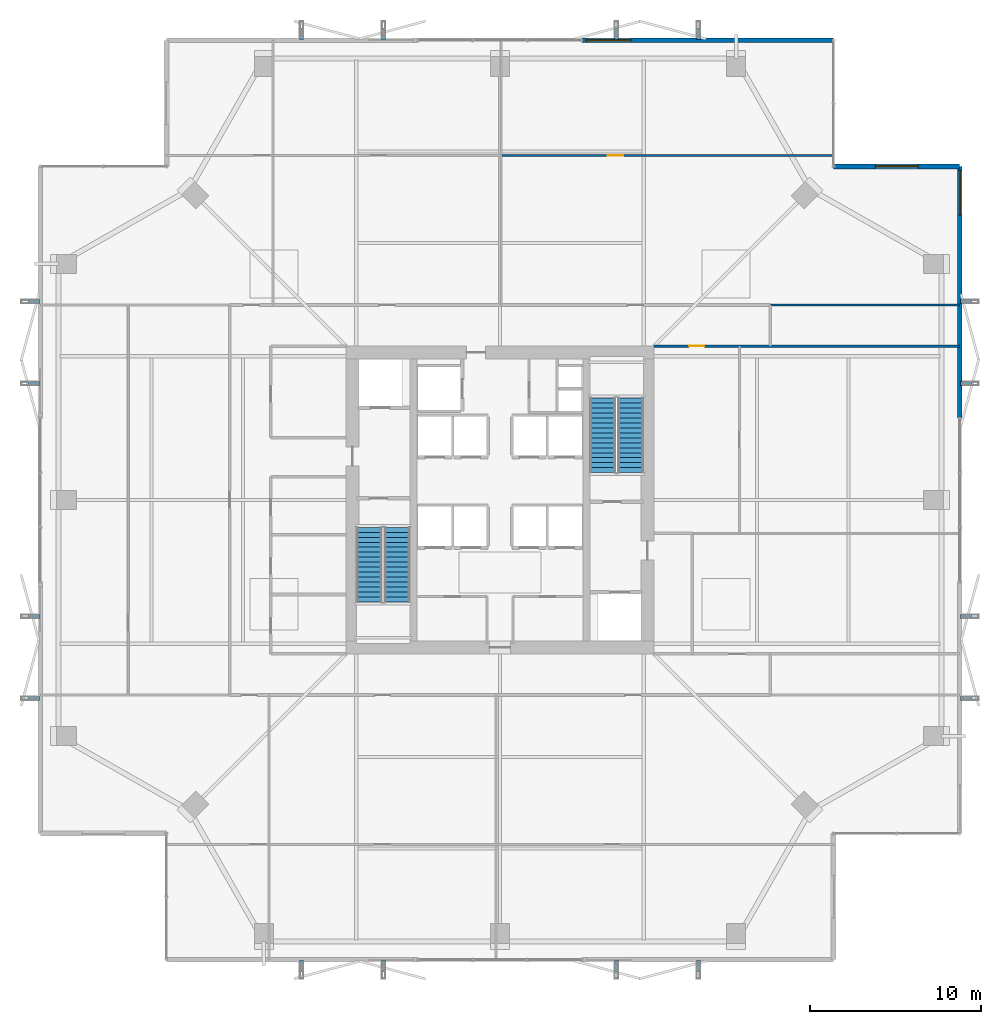
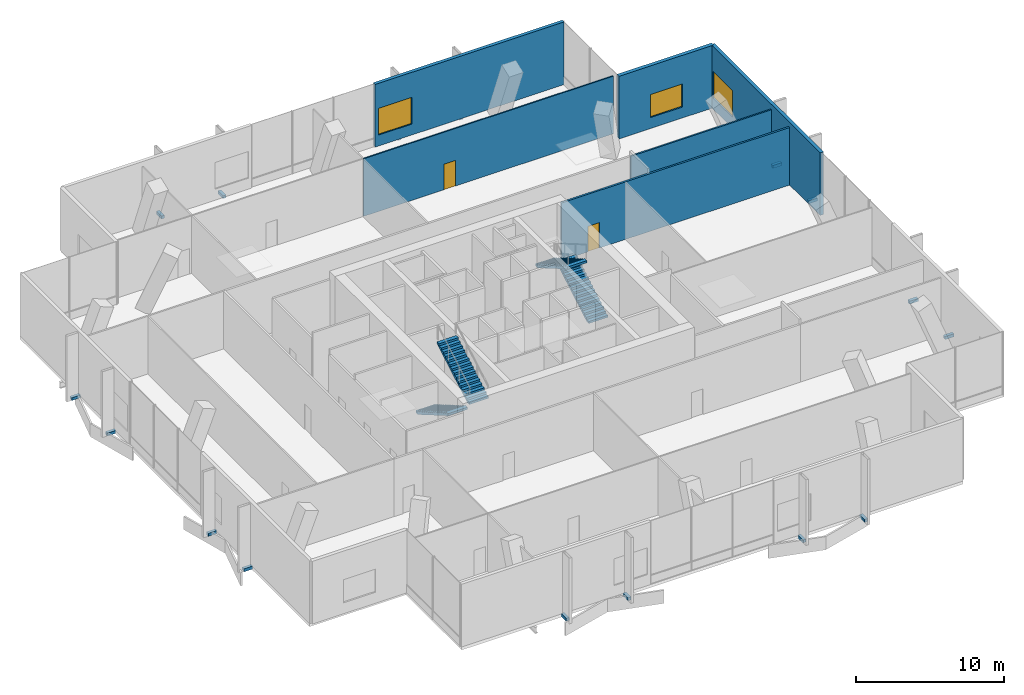
# One storey, part 32 of 33: 16 discrete accessories, 6 walls, 4 stair flights, 3 windows, 2 doors, 5 openings, 2 elements without a shape of their own.
"""IFC4 building model written with IfcOpenShell, lengths in metres."""

from ifc_helpers import new_model, si_unit, direction, frame, frame_2d, origin, origin_2d, place, context, subcontext, project, spatial, polyline, rectangle, outline, extrude, material, layer, layer_set, type_object, element, fill, aggregate, save


model = new_model("IFC4")

# Units and contexts
model_context = context("Model", 3, precision=1e-05, world=origin(), true_north=direction((0.0, 1.0)))
body_context = subcontext(model_context, "Body", "Model", "MODEL_VIEW")
ifc_project = project(units=[si_unit("LENGTHUNIT", "METRE"), si_unit("AREAUNIT", "SQUARE_METRE"), si_unit("VOLUMEUNIT", "CUBIC_METRE"), si_unit("PLANEANGLEUNIT", "RADIAN"), si_unit("MASSUNIT", "GRAM", prefix="KILO")], contexts=[model_context])

# Site, building, storey
site_placement = place(None, origin())
site = spatial("IfcSite", under=ifc_project, at=site_placement, CompositionType="ELEMENT")
building_placement = place(site_placement, origin())
building = spatial("IfcBuilding", under=site, at=building_placement, Name="Belovzor Exchange Tower", CompositionType="ELEMENT")
storey_placement = place(building_placement, frame((0.0, 0.0, 241.199951171875)))
storey = spatial("IfcBuildingStorey", under=building, at=storey_placement, Name="L60", CompositionType="ELEMENT", Elevation=241.199951171875)

# Wall
ifc_material_1 = material(Name="Acoustic Plasterboard on Galvanised Studs", Category="gypsum")
ifc_layer_1 = layer(ifc_material_1, 0.1201171875)
ifc_layer_set_1 = layer_set([ifc_layer_1], Name="Acoustic Plasterboard on Galvanised Studs")
wall_type_1 = type_object("IfcWallType", Name="Acoustic Double-Stud Partition Wall 120", PredefinedType="PARTITIONING", material=ifc_layer_set_1)
wall_1_placement = place(storey_placement, frame((44.60009765625, 40.199951171875, 0.0), z_axis=(0.0, 0.0, 1.0), x_axis=(1.0, 0.0, 0.0)))
element("IfcWall", 1, at=wall_1_placement, inside=storey, type_object=wall_type_1, Name="W-P120 Partition Wall W-L60-END-NE", PredefinedType="PARTITIONING", context=body_context, shape_type="SweptSolid", body=[
    extrude(rectangle(XDim=11.06982421875, YDim=0.1201171875, at=frame_2d((5.534912109375, 0.0))), origin(), (0.0, 0.0, 1.0), 4.735107421875),
])

# Wall, opening, door
ifc_material_2 = material(Name="Acoustic Laminated Glass and Aluminium", Category="aluminium")
ifc_layer_2 = layer(ifc_material_2, 0.10009765625)
ifc_layer_set_2 = layer_set([ifc_layer_2], Name="Acoustic Laminated Glass and Aluminium")
wall_type_2 = type_object("IfcWallType", Name="Demountable Executive Glass Partition 100", PredefinedType="MOVABLE", material=ifc_layer_set_2)
wall_2_placement = place(storey_placement, frame((28.864990234375, 48.93505859375, 0.0), z_axis=(0.0, 0.0, 1.0), x_axis=(1.0, 0.0, 0.0)))
wall_2 = element("IfcWall", 2, at=wall_2_placement, inside=storey, type_object=wall_type_2, Name="W-M100 Partition Wall W-L60-NHDIV-2", PredefinedType="MOVABLE", context=body_context, shape_type="SweptSolid", body=[
    extrude(rectangle(XDim=19.43505859375, YDim=0.10009765625, at=frame_2d((9.717529296875, 0.0))), origin(), (0.0, 0.0, 1.0), 4.735107421875),
])
opening_1_placement = place(wall_2_placement, frame((6.2451171875, 0.0, 0.0)))
opening_1 = element("IfcOpeningElement", 3, at=opening_1_placement, cuts=wall_2, Name="Opening D-INT-090", PredefinedType="OPENING", context=body_context, shape_type="SweptSolid", body=[
    extrude(rectangle(XDim=0.89990234375, YDim=2.10009765625, at=frame_2d((0.449951171875, 1.050048828125))), frame((0.0, 0.06005859375, 0.0), z_axis=(0.0, -1.0, 0.0), x_axis=(1.0, 0.0, 0.0)), (0.0, 0.0, 1.0), 0.1201171875),
])
ifc_material_3 = material(Name="Veneered Hardwood Acoustic Leaf", Category="wood")
door_type = type_object("IfcDoorType", Name="Trading Suite Acoustic Single Door 900x2100", OperationType="NOTDEFINED", PredefinedType="DOOR", material=ifc_material_3)
door_1_placement = place(opening_1_placement, origin())
door_1 = element("IfcDoor", 4, at=door_1_placement, inside=storey, type_object=door_type, Name="D-INT-090 Trading Suite Acoustic Single Door 900x2100", OperationType="SINGLE_SWING_RIGHT", OverallHeight=2.10009765625, OverallWidth=0.89990234375, PredefinedType="DOOR", context=body_context, shape_type="SweptSolid", body=[
    extrude(rectangle(XDim=0.89990234375, YDim=2.10009765625, at=frame_2d((0.449951171875, 1.050048828125))), frame((0.0, 0.02490234375, 0.0), z_axis=(0.0, -1.0, 0.0), x_axis=(1.0, 0.0, 0.0)), (0.0, 0.0, 1.0), 0.050048828125),
])
fill(opening_1, door_1)

ifc_material_4 = material(Name="Fire-Rated Gypsum Block and Mineral Wool", Category="gypsum")
ifc_layer_3 = layer(ifc_material_4, 0.14990234375)
ifc_layer_set_3 = layer_set([ifc_layer_3], Name="Fire-Rated Gypsum Block and Mineral Wool")
wall_type_3 = type_object("IfcWallType", Name="Fire-Rated Gypsum Block Corridor Wall 150", PredefinedType="PARTITIONING", material=ifc_layer_set_3)
wall_3_placement = place(storey_placement, frame((37.800048828125, 37.800048828125, 0.0), z_axis=(0.0, 0.0, 1.0), x_axis=(1.0, 0.0, 0.0)))
wall_3 = element("IfcWall", 5, at=wall_3_placement, inside=storey, type_object=wall_type_3, Name="W-P150 Partition Wall W-L60-CN-IN", PredefinedType="PARTITIONING", context=body_context, shape_type="SweptSolid", body=[
    extrude(rectangle(XDim=17.869873046875, YDim=0.14990234375, at=frame_2d((8.93505859375, 0.0))), origin(), (0.0, 0.0, 1.0), 4.735107421875),
])
opening_2_placement = place(wall_3_placement, frame((2.050048828125, 0.0, 0.0)))
opening_2 = element("IfcOpeningElement", 6, at=opening_2_placement, cuts=wall_3, Name="Opening D-INT-090", PredefinedType="OPENING", context=body_context, shape_type="SweptSolid", body=[
    extrude(rectangle(XDim=0.89990234375, YDim=2.10009765625, at=frame_2d((0.449951171875, 1.050048828125))), frame((0.0, 0.0849609375, 0.0), z_axis=(0.0, -1.0, 0.0), x_axis=(1.0, 0.0, 0.0)), (0.0, 0.0, 1.0), 0.169921875),
])
door_2_placement = place(opening_2_placement, origin())
door_2 = element("IfcDoor", 7, at=door_2_placement, inside=storey, type_object=door_type, Name="D-INT-090 Trading Suite Acoustic Single Door 900x2100", OperationType="SINGLE_SWING_RIGHT", OverallHeight=2.10009765625, OverallWidth=0.89990234375, PredefinedType="DOOR", context=body_context, shape_type="SweptSolid", body=[
    extrude(rectangle(XDim=0.89990234375, YDim=2.10009765625, at=frame_2d((0.449951171875, 1.050048828125))), frame((0.0, 0.02490234375, 0.0), z_axis=(0.0, -1.0, 0.0), x_axis=(1.0, 0.0, 0.0)), (0.0, 0.0, 1.0), 0.050048828125),
])
fill(opening_2, door_2)

# Wall, opening, window
ifc_material_5 = material(Name="Precast concrete C40/50", Category="concrete")
ifc_layer_4 = layer(ifc_material_5, 0.280029296875)
ifc_layer_set_4 = layer_set([ifc_layer_4], Name="Precast concrete C40/50")
wall_type_4 = type_object("IfcWallType", Name="Precast Concrete Notched Corner Frame Wall 280", PredefinedType="SOLIDWALL", material=ifc_layer_set_4)
wall_4_placement = place(storey_placement, frame((48.300048828125, 48.300048828125, 0.0), z_axis=(0.0, 0.0, 1.0), x_axis=(1.0, 0.0, 0.0)))
wall_4 = element("IfcWall", 8, at=wall_4_placement, inside=storey, type_object=wall_type_4, Name="W-CRN280 Precast Concrete Notched Corner Frame Wall 280 L60", PredefinedType="SOLIDWALL", context=body_context, shape_type="SweptSolid", body=[
    extrude(rectangle(XDim=7.369873046875, YDim=0.280029296875, at=frame_2d((3.68505859375, 0.0))), origin(), (0.0, 0.0, 1.0), 5.150146484375),
])
opening_3_placement = place(wall_4_placement, frame((2.43505859375, 0.0, 0.89990234375)))
opening_3 = element("IfcOpeningElement", 9, at=opening_3_placement, cuts=wall_4, Name="Opening WN-CRN250", PredefinedType="OPENING", context=body_context, shape_type="SweptSolid", body=[
    extrude(rectangle(XDim=2.5, YDim=1.89990234375, at=frame_2d((1.25, 0.949951171875))), frame((0.0, 0.14990234375, 0.0), z_axis=(0.0, -1.0, 0.0), x_axis=(1.0, 0.0, 0.0)), (0.0, 0.0, 1.0), 0.300048828125),
])
ifc_material_6 = material(Name="Thermally Broken Aluminium and Triple Glazing", Category="aluminium")
window_type_1 = type_object("IfcWindowType", Name="Streamline Moderne Corner Wrap Ribbon Window 2500x1900", PartitioningType="SINGLE_PANEL", PredefinedType="WINDOW", material=ifc_material_6)
window_1_placement = place(opening_3_placement, origin())
window_1 = element("IfcWindow", 10, at=window_1_placement, inside=storey, type_object=window_type_1, Name="WN-CRN250 Streamline Moderne Corner Wrap Ribbon Window 2500x1900", OverallHeight=1.89990234375, OverallWidth=2.5, PartitioningType="SINGLE_PANEL", PredefinedType="WINDOW", context=body_context, shape_type="SweptSolid", body=[
    extrude(rectangle(XDim=2.5, YDim=1.89990234375, at=frame_2d((1.25, 0.949951171875))), frame((0.0, 0.030029296875, 0.0), z_axis=(0.0, -1.0, 0.0), x_axis=(1.0, 0.0, 0.0)), (0.0, 0.0, 1.0), 0.06005859375),
])
fill(opening_3, window_1)

ifc_material_7 = material(Name="Precast concrete C40/50", Category="concrete")
ifc_layer_5 = layer(ifc_material_7, 0.260009765625)
ifc_layer_set_5 = layer_set([ifc_layer_5], Name="Precast concrete C40/50")
wall_type_5 = type_object("IfcWallType", Name="Precast Concrete Perimeter Loggia Frame Wall 260", PredefinedType="SOLIDWALL", material=ifc_layer_set_5)
wall_5_placement = place(storey_placement, frame((33.60009765625, 55.669921875, 0.0), z_axis=(0.0, 0.0, 1.0), x_axis=(1.0, 0.0, 0.0)))
wall_5 = element("IfcWall", 11, at=wall_5_placement, inside=storey, type_object=wall_type_5, Name="W-EXT260 Precast Concrete Perimeter Loggia Frame Wall 260 L60", PredefinedType="SOLIDWALL", context=body_context, shape_type="SweptSolid", body=[
    extrude(rectangle(XDim=14.699951171875, YDim=0.260009765625, at=frame_2d((7.35009765625, 0.0))), origin(), (0.0, 0.0, 1.0), 5.150146484375),
])
opening_4_placement = place(wall_5_placement, frame((0.25, 0.0, 0.89990234375)))
opening_4 = element("IfcOpeningElement", 12, at=opening_4_placement, cuts=wall_5, Name="Opening WN-LOG260", PredefinedType="OPENING", context=body_context, shape_type="SweptSolid", body=[
    extrude(rectangle(XDim=2.60009765625, YDim=2.199951171875, at=frame_2d((1.300048828125, 1.10009765625))), frame((0.0, 0.139892578125, 0.0), z_axis=(0.0, -1.0, 0.0), x_axis=(1.0, 0.0, 0.0)), (0.0, 0.0, 1.0), 0.280029296875),
])
ifc_material_8 = material(Name="Thermally Broken Aluminium and Triple Glazing", Category="aluminium")
window_type_2 = type_object("IfcWindowType", Name="Sky-Lobby Panoramic Window 2600x2200", PartitioningType="SINGLE_PANEL", PredefinedType="WINDOW", material=ifc_material_8)
window_2_placement = place(opening_4_placement, origin())
window_2 = element("IfcWindow", 13, at=window_2_placement, inside=storey, type_object=window_type_2, Name="WN-LOG260 Sky-Lobby Panoramic Window 2600x2200", OverallHeight=2.199951171875, OverallWidth=2.60009765625, PartitioningType="SINGLE_PANEL", PredefinedType="WINDOW", context=body_context, shape_type="SweptSolid", body=[
    extrude(rectangle(XDim=2.60009765625, YDim=2.199951171875, at=frame_2d((1.300048828125, 1.10009765625))), frame((0.0, 0.030029296875, 0.0), z_axis=(0.0, -1.0, 0.0), x_axis=(1.0, 0.0, 0.0)), (0.0, 0.0, 1.0), 0.06005859375),
])
fill(opening_4, window_2)

wall_6_placement = place(storey_placement, frame((55.669921875, 48.300048828125, 0.0), z_axis=(0.0, 0.0, 1.0), x_axis=(0.0, -1.0, 0.0)))
wall_6 = element("IfcWall", 14, at=wall_6_placement, inside=storey, type_object=wall_type_5, Name="W-EXT260 Precast Concrete Perimeter Loggia Frame Wall 260 L60", PredefinedType="SOLIDWALL", context=body_context, shape_type="SweptSolid", body=[
    extrude(rectangle(XDim=14.699951171875, YDim=0.260009765625, at=frame_2d((7.35009765625, 0.0))), origin(), (0.0, 0.0, 1.0), 5.150146484375),
])
opening_5_placement = place(wall_6_placement, frame((0.25, 0.0, 0.89990234375)))
opening_5 = element("IfcOpeningElement", 15, at=opening_5_placement, cuts=wall_6, Name="Opening WN-LOG260", PredefinedType="OPENING", context=body_context, shape_type="SweptSolid", body=[
    extrude(rectangle(XDim=2.60009765625, YDim=2.199951171875, at=frame_2d((1.300048828125, 1.10009765625))), frame((0.0, 0.139892578125, 0.0), z_axis=(0.0, -1.0, 0.0), x_axis=(1.0, 0.0, 0.0)), (0.0, 0.0, 1.0), 0.280029296875),
])
window_3_placement = place(opening_5_placement, origin())
window_3 = element("IfcWindow", 16, at=window_3_placement, inside=storey, type_object=window_type_2, Name="WN-LOG260 Sky-Lobby Panoramic Window 2600x2200", OverallHeight=2.199951171875, OverallWidth=2.60009765625, PartitioningType="SINGLE_PANEL", PredefinedType="WINDOW", context=body_context, shape_type="SweptSolid", body=[
    extrude(rectangle(XDim=2.60009765625, YDim=2.199951171875, at=frame_2d((1.300048828125, 1.10009765625))), frame((0.0, 0.030029296875, 0.0), z_axis=(0.0, -1.0, 0.0), x_axis=(1.0, 0.0, 0.0)), (0.0, 0.0, 1.0), 0.06005859375),
])
fill(opening_5, window_3)

# Stair, stair flights
ifc_material_9 = material(Name="Concrete C40/50", Category="concrete")
stair_type = type_object("IfcStairType", Name="Reinforced Concrete Dogleg Escape Stair 1350", PredefinedType="HALF_TURN_STAIR", material=ifc_material_9)
stair_1_placement = place(storey_placement, origin())
stair_1 = element("IfcStair", 17, at=stair_1_placement, inside=storey, type_object=stair_type, Name="L60 ST-1", PredefinedType="HALF_TURN_STAIR")
ifc_material_10 = material(Name="Concrete C40/50", Category="concrete")
stair_flight_type = type_object("IfcStairFlightType", Name="Reinforced Concrete Stair Flight 1350", PredefinedType="STRAIGHT", material=ifc_material_10)
stair_flight_1_placement = place(storey_placement, frame((21.14990234375, 27.199951171875, 0.0), z_axis=(0.0, 0.0, 1.0), x_axis=(0.0, -1.0, 0.0)))
stair_flight_1 = element("IfcStairFlight", 18, at=stair_flight_1_placement, type_object=stair_flight_type, Name="ST-1 flight 1", NumberOfRisers=16, NumberOfTreads=15, PredefinedType="STRAIGHT", RiserHeight=0.16875, TreadLength=0.29, context=body_context, shape_type="SweptSolid", body=[
    extrude(outline(polyline([(0.0, 0.0), (0.0, 0.168701171875), (0.2900390625, 0.168701171875), (0.2900390625, 0.33740234375), (0.580078125, 0.33740234375), (0.580078125, 0.50634765625), (0.8701171875, 0.50634765625), (0.8701171875, 0.675048828125), (1.159912109375, 0.675048828125), (1.159912109375, 0.84375), (1.449951171875, 0.84375), (1.449951171875, 1.012451171875), (1.739990234375, 1.012451171875), (1.739990234375, 1.18115234375), (2.030029296875, 1.18115234375), (2.030029296875, 1.35009765625), (2.320068359375, 1.35009765625), (2.320068359375, 1.518798828125), (2.610107421875, 1.518798828125), (2.610107421875, 1.6875), (2.89990234375, 1.6875), (2.89990234375, 1.856201171875), (3.18994140625, 1.856201171875), (3.18994140625, 2.02490234375), (3.47998046875, 2.02490234375), (3.47998046875, 2.19384765625), (3.77001953125, 2.19384765625), (3.77001953125, 2.362548828125), (4.06005859375, 2.362548828125), (4.06005859375, 2.53125), (4.35009765625, 2.53125), (4.35009765625, 2.699951171875), (4.35009765625, 2.35791015625), (0.298095703125, 0.0), (0.0, 0.0)])), frame((0.0, 0.75, 0.0), z_axis=(0.0, -1.0, 0.0), x_axis=(1.0, 0.0, 0.0)), (0.0, 0.0, 1.0), 1.5),
])
stair_flight_2_placement = place(storey_placement, frame((22.800048828125, 22.85009765625, 2.699951171875), z_axis=(0.0, 0.0, 1.0), x_axis=(0.0, 1.0, 0.0)))
stair_flight_2 = element("IfcStairFlight", 19, at=stair_flight_2_placement, type_object=stair_flight_type, Name="ST-1 flight 2", NumberOfRisers=16, NumberOfTreads=15, PredefinedType="STRAIGHT", RiserHeight=0.16875, TreadLength=0.29, context=body_context, shape_type="SweptSolid", body=[
    extrude(outline(polyline([(0.0, 0.0), (0.0, 0.168701171875), (0.2900390625, 0.168701171875), (0.2900390625, 0.33740234375), (0.580078125, 0.33740234375), (0.580078125, 0.50634765625), (0.8701171875, 0.50634765625), (0.8701171875, 0.675048828125), (1.159912109375, 0.675048828125), (1.159912109375, 0.84375), (1.449951171875, 0.84375), (1.449951171875, 1.012451171875), (1.739990234375, 1.012451171875), (1.739990234375, 1.18115234375), (2.030029296875, 1.18115234375), (2.030029296875, 1.35009765625), (2.320068359375, 1.35009765625), (2.320068359375, 1.518798828125), (2.610107421875, 1.518798828125), (2.610107421875, 1.6875), (2.89990234375, 1.6875), (2.89990234375, 1.856201171875), (3.18994140625, 1.856201171875), (3.18994140625, 2.02490234375), (3.47998046875, 2.02490234375), (3.47998046875, 2.19384765625), (3.77001953125, 2.19384765625), (3.77001953125, 2.362548828125), (4.06005859375, 2.362548828125), (4.06005859375, 2.53125), (4.35009765625, 2.53125), (4.35009765625, 2.699951171875), (4.35009765625, 2.35791015625), (0.298095703125, 0.0), (0.0, 0.0)])), frame((0.0, 0.75, 0.0), z_axis=(0.0, -1.0, 0.0), x_axis=(1.0, 0.0, 0.0)), (0.0, 0.0, 1.0), 1.5),
])
aggregate(stair_1, [stair_flight_1, stair_flight_2])

stair_2_placement = place(storey_placement, origin())
stair_2 = element("IfcStair", 20, at=stair_2_placement, inside=storey, type_object=stair_type, Name="L60 ST-2", PredefinedType="HALF_TURN_STAIR")
stair_flight_3_placement = place(storey_placement, frame((36.449951171875, 30.39990234375, 0.0), z_axis=(0.0, 0.0, 1.0), x_axis=(0.0, 1.0, 0.0)))
stair_flight_3 = element("IfcStairFlight", 21, at=stair_flight_3_placement, type_object=stair_flight_type, Name="ST-2 flight 1", NumberOfRisers=16, NumberOfTreads=15, PredefinedType="STRAIGHT", RiserHeight=0.16875, TreadLength=0.29, context=body_context, shape_type="SweptSolid", body=[
    extrude(outline(polyline([(0.0, 0.0), (0.0, 0.168701171875), (0.2900390625, 0.168701171875), (0.2900390625, 0.33740234375), (0.580078125, 0.33740234375), (0.580078125, 0.50634765625), (0.8701171875, 0.50634765625), (0.8701171875, 0.675048828125), (1.159912109375, 0.675048828125), (1.159912109375, 0.84375), (1.449951171875, 0.84375), (1.449951171875, 1.012451171875), (1.739990234375, 1.012451171875), (1.739990234375, 1.18115234375), (2.030029296875, 1.18115234375), (2.030029296875, 1.35009765625), (2.320068359375, 1.35009765625), (2.320068359375, 1.518798828125), (2.610107421875, 1.518798828125), (2.610107421875, 1.6875), (2.89990234375, 1.6875), (2.89990234375, 1.856201171875), (3.18994140625, 1.856201171875), (3.18994140625, 2.02490234375), (3.47998046875, 2.02490234375), (3.47998046875, 2.19384765625), (3.77001953125, 2.19384765625), (3.77001953125, 2.362548828125), (4.06005859375, 2.362548828125), (4.06005859375, 2.53125), (4.35009765625, 2.53125), (4.35009765625, 2.699951171875), (4.35009765625, 2.35791015625), (0.298095703125, 0.0), (0.0, 0.0)])), frame((0.0, 0.75, 0.0), z_axis=(0.0, -1.0, 0.0), x_axis=(1.0, 0.0, 0.0)), (0.0, 0.0, 1.0), 1.5),
])
stair_flight_4_placement = place(storey_placement, frame((34.800048828125, 34.75, 2.699951171875), z_axis=(0.0, 0.0, 1.0), x_axis=(0.0, -1.0, 0.0)))
stair_flight_4 = element("IfcStairFlight", 22, at=stair_flight_4_placement, type_object=stair_flight_type, Name="ST-2 flight 2", NumberOfRisers=16, NumberOfTreads=15, PredefinedType="STRAIGHT", RiserHeight=0.16875, TreadLength=0.29, context=body_context, shape_type="SweptSolid", body=[
    extrude(outline(polyline([(0.0, 0.0), (0.0, 0.168701171875), (0.2900390625, 0.168701171875), (0.2900390625, 0.33740234375), (0.580078125, 0.33740234375), (0.580078125, 0.50634765625), (0.8701171875, 0.50634765625), (0.8701171875, 0.675048828125), (1.159912109375, 0.675048828125), (1.159912109375, 0.84375), (1.449951171875, 0.84375), (1.449951171875, 1.012451171875), (1.739990234375, 1.012451171875), (1.739990234375, 1.18115234375), (2.030029296875, 1.18115234375), (2.030029296875, 1.35009765625), (2.320068359375, 1.35009765625), (2.320068359375, 1.518798828125), (2.610107421875, 1.518798828125), (2.610107421875, 1.6875), (2.89990234375, 1.6875), (2.89990234375, 1.856201171875), (3.18994140625, 1.856201171875), (3.18994140625, 2.02490234375), (3.47998046875, 2.02490234375), (3.47998046875, 2.19384765625), (3.77001953125, 2.19384765625), (3.77001953125, 2.362548828125), (4.06005859375, 2.362548828125), (4.06005859375, 2.53125), (4.35009765625, 2.53125), (4.35009765625, 2.699951171875), (4.35009765625, 2.35791015625), (0.298095703125, 0.0), (0.0, 0.0)])), frame((0.0, 0.75, 0.0), z_axis=(0.0, -1.0, 0.0), x_axis=(1.0, 0.0, 0.0)), (0.0, 0.0, 1.0), 1.5),
])
aggregate(stair_2, [stair_flight_3, stair_flight_4])

# Discrete accessories
ifc_material_11 = material(Name="Stainless Steel Grade 316", Category="steel")
ifc_layer_6 = layer(ifc_material_11, 0.179931640625)
ifc_layer_set_6 = layer_set([ifc_layer_6], Name="Stainless Steel Grade 316")
discrete_accessory_type = type_object("IfcDiscreteAccessoryType", Name="Stainless Steel Facade Outrigger Fixing Bracket", PredefinedType="BRACKET", material=ifc_layer_set_6)
for number, where, z_axis, x_axis, name in (
    (23, (17.199951171875, 1.5380859375, -0.2451171875), (0.0, 0.0, 1.0), (0.0, 1.0, 0.0), "BRK-FIN1 Sweeping Fin Outrigger Bracket L60 S1"),
    (24, (17.199951171875, 56.06201171875, -0.2451171875), (0.0, 0.0, 1.0), (0.0, 1.0, 0.0), "BRK-FIN1 Sweeping Fin Outrigger Bracket L60 N1"),
    (25, (1.5380859375, 17.199951171875, -0.2451171875), (0.0, 0.0, 1.0), (1.0, 0.0, 0.0), "BRK-FIN1 Sweeping Fin Outrigger Bracket L60 W1"),
    (26, (56.06201171875, 17.199951171875, -0.2451171875), (0.0, 0.0, 1.0), (1.0, 0.0, 0.0), "BRK-FIN1 Sweeping Fin Outrigger Bracket L60 E1"),
    (27, (22.0, 1.5380859375, -0.2451171875), (0.0, 0.0, 1.0), (0.0, 1.0, 0.0), "BRK-FIN1 Sweeping Fin Outrigger Bracket L60 S2"),
    (28, (22.0, 56.06201171875, -0.2451171875), (0.0, 0.0, 1.0), (0.0, 1.0, 0.0), "BRK-FIN1 Sweeping Fin Outrigger Bracket L60 N2"),
    (29, (1.5380859375, 22.0, -0.2451171875), (0.0, 0.0, 1.0), (1.0, 0.0, 0.0), "BRK-FIN1 Sweeping Fin Outrigger Bracket L60 W2"),
    (30, (56.06201171875, 22.0, -0.2451171875), (0.0, 0.0, 1.0), (1.0, 0.0, 0.0), "BRK-FIN1 Sweeping Fin Outrigger Bracket L60 E2"),
    (31, (35.60009765625, 1.5380859375, -0.2451171875), (0.0, 0.0, 1.0), (0.0, 1.0, 0.0), "BRK-FIN1 Sweeping Fin Outrigger Bracket L60 S3"),
    (32, (35.60009765625, 56.06201171875, -0.2451171875), (0.0, 0.0, 1.0), (0.0, 1.0, 0.0), "BRK-FIN1 Sweeping Fin Outrigger Bracket L60 N3"),
    (33, (1.5380859375, 35.60009765625, -0.2451171875), (0.0, 0.0, 1.0), (1.0, 0.0, 0.0), "BRK-FIN1 Sweeping Fin Outrigger Bracket L60 W3"),
    (34, (56.06201171875, 35.60009765625, -0.2451171875), (0.0, 0.0, 1.0), (1.0, 0.0, 0.0), "BRK-FIN1 Sweeping Fin Outrigger Bracket L60 E3"),
    (35, (40.39990234375, 1.5380859375, -0.2451171875), (0.0, 0.0, 1.0), (0.0, 1.0, 0.0), "BRK-FIN1 Sweeping Fin Outrigger Bracket L60 S4"),
    (36, (40.39990234375, 56.06201171875, -0.2451171875), (0.0, 0.0, 1.0), (0.0, 1.0, 0.0), "BRK-FIN1 Sweeping Fin Outrigger Bracket L60 N4"),
    (37, (1.5380859375, 40.39990234375, -0.2451171875), (0.0, 0.0, 1.0), (1.0, 0.0, 0.0), "BRK-FIN1 Sweeping Fin Outrigger Bracket L60 W4"),
    (38, (56.06201171875, 40.39990234375, -0.2451171875), (0.0, 0.0, 1.0), (1.0, 0.0, 0.0), "BRK-FIN1 Sweeping Fin Outrigger Bracket L60 E4"),
):
    element("IfcDiscreteAccessory", number, at=place(storey_placement, frame(where, z_axis=z_axis, x_axis=x_axis)), inside=storey, type_object=discrete_accessory_type, Name=name, PredefinedType="BRACKET", context=body_context, shape_type="SweptSolid", body=[
        extrude(rectangle(XDim=0.68505859375, YDim=0.239990234375, at=origin_2d()), origin(), (0.0, 0.0, 1.0), 0.239990234375),
    ])

save(model, "model.ifc")
